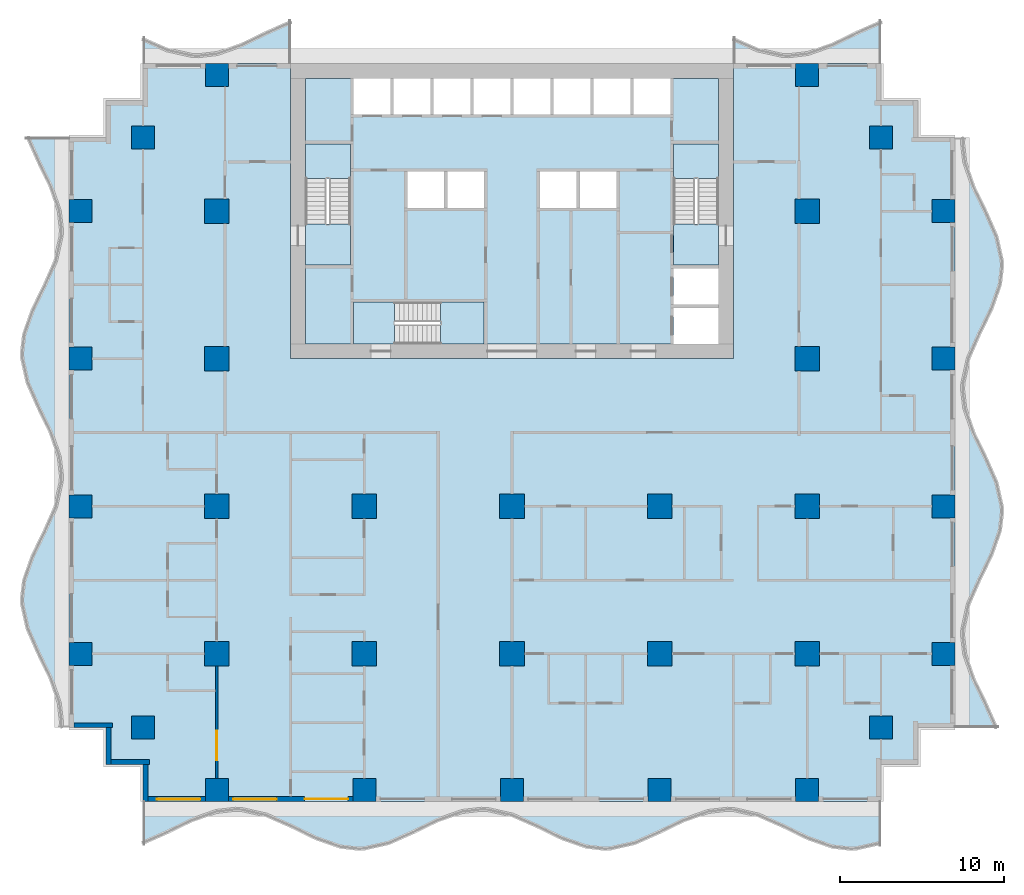
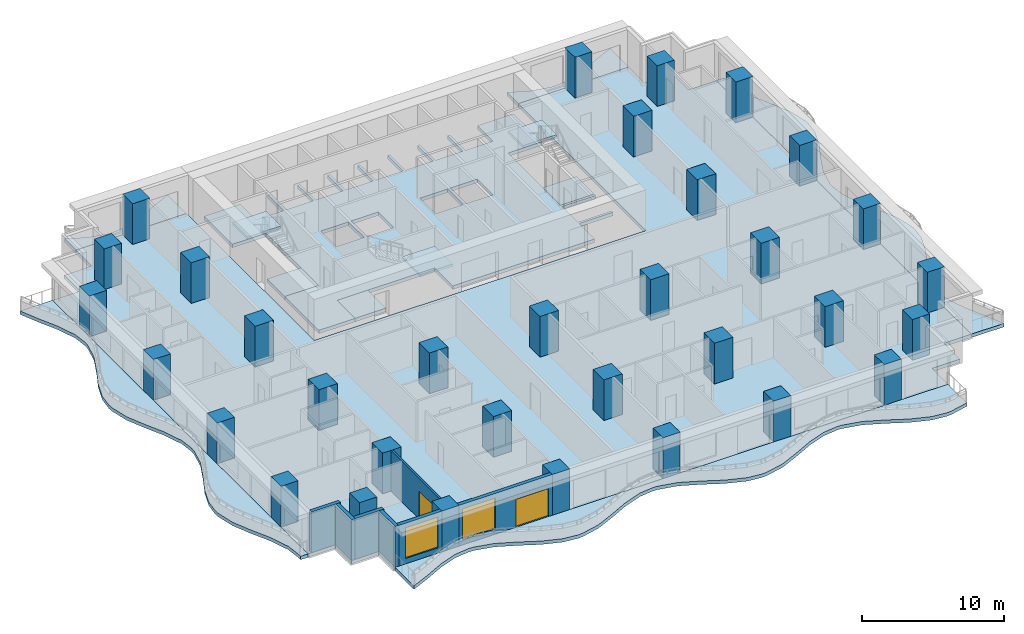
# One storey, part 1 of 14: 33 columns, 13 slabs, 7 walls, 2 doors, 2 windows, 4 openings, 3 elements without a shape of their own.
"""IFC4 building model written with IfcOpenShell, lengths in metres."""

from ifc_helpers import new_model, si_unit, direction, frame, frame_2d, origin, origin_2d, place, context, subcontext, project, spatial, polyline, rectangle, outline, extrude, material, layer, layer_set, material_profile, profile_set, type_object, element, fill, aggregate, save


model = new_model("IFC4")

# Units and contexts
model_context = context("Model", 3, precision=1e-05, world=origin(), true_north=direction((0.0, 1.0)))
body_context = subcontext(model_context, "Body", "Model", "MODEL_VIEW")
ifc_project = project(units=[si_unit("LENGTHUNIT", "METRE"), si_unit("AREAUNIT", "SQUARE_METRE"), si_unit("VOLUMEUNIT", "CUBIC_METRE"), si_unit("PLANEANGLEUNIT", "RADIAN"), si_unit("MASSUNIT", "GRAM", prefix="KILO")], contexts=[model_context])

# Site, building, storey
site_placement = place(None, origin())
site = spatial("IfcSite", under=ifc_project, at=site_placement, CompositionType="ELEMENT")
building_placement = place(site_placement, origin())
building = spatial("IfcBuilding", under=site, at=building_placement, Name="Orbiselva Terraces", CompositionType="ELEMENT")
storey_placement = place(building_placement, frame((0.0, 0.0, 56.8)))
storey = spatial("IfcBuildingStorey", under=building, at=storey_placement, Name="L14", CompositionType="ELEMENT", Elevation=56.8)

# Columns
ifc_material_1 = material(Name="Concrete C80/95", Category="concrete")
ifc_material_profile_1 = material_profile(ifc_material_1, rectangle(XDim=1.5, YDim=1.5, at=origin_2d()), Name="RC 1500x1500")
ifc_profile_set_1 = profile_set([ifc_material_profile_1], Name="Concrete C80/95")
column_type_1 = type_object("IfcColumnType", Name="COLUMN RC 1500x1500", PredefinedType="COLUMN", material=ifc_profile_set_1)
for number, where, z_axis, x_axis, name in (
    (1, (-18.0, -13.5, 0.0), (0.0, 0.0, 1.0), (1.0, 0.0, 0.0), "Column L14-01"),
    (2, (-18.0, -4.5, 0.0), (0.0, 0.0, 1.0), (1.0, 0.0, 0.0), "Column L14-03"),
    (3, (-18.0, 13.5, 0.0), (0.0, 0.0, 1.0), (1.0, 0.0, 0.0), "Column L14-04"),
    (4, (-18.0, 4.5, 0.0), (0.0, 0.0, 1.0), (1.0, 0.0, 0.0), "Column L14-06"),
    (5, (-9.0, -13.5, 0.0), (0.0, 0.0, 1.0), (1.0, 0.0, 0.0), "Column L14-13"),
    (6, (-9.0, -4.5, 0.0), (0.0, 0.0, 1.0), (1.0, 0.0, 0.0), "Column L14-15"),
    (7, (0.0, -13.5, 0.0), (0.0, 0.0, 1.0), (1.0, 0.0, 0.0), "Column L14-16"),
    (8, (0.0, -4.5, 0.0), (0.0, 0.0, 1.0), (1.0, 0.0, 0.0), "Column L14-18"),
    (9, (18.0, -13.5, 0.0), (0.0, 0.0, 1.0), (1.0, 0.0, 0.0), "Column L14-19"),
    (10, (18.0, -4.5, 0.0), (0.0, 0.0, 1.0), (1.0, 0.0, 0.0), "Column L14-21"),
    (11, (18.0, 13.5, 0.0), (0.0, 0.0, 1.0), (1.0, 0.0, 0.0), "Column L14-22"),
    (12, (18.0, 4.5, 0.0), (0.0, 0.0, 1.0), (1.0, 0.0, 0.0), "Column L14-24"),
    (13, (9.0, -13.5, 0.0), (0.0, 0.0, 1.0), (1.0, 0.0, 0.0), "Column L14-31"),
    (14, (9.0, -4.5, 0.0), (0.0, 0.0, 1.0), (1.0, 0.0, 0.0), "Column L14-33"),
):
    element("IfcColumn", number, at=place(storey_placement, frame(where, z_axis=z_axis, x_axis=x_axis)), inside=storey, type_object=column_type_1, Name=name, PredefinedType="COLUMN", context=body_context, shape_type="SweptSolid", body=[
        extrude(rectangle(XDim=1.5, YDim=1.5, at=origin_2d()), origin(), (0.0, 0.0, 1.0), 3.5),
    ])
ifc_material_2 = material(Name="Concrete C70/85", Category="concrete")
ifc_material_profile_2 = material_profile(ifc_material_2, rectangle(XDim=1.4, YDim=1.4, at=origin_2d()), Name="RC 1400x1400")
ifc_profile_set_2 = profile_set([ifc_material_profile_2], Name="Concrete C70/85")
column_type_2 = type_object("IfcColumnType", Name="PERIMETER COLUMN RC 1400x1400", PredefinedType="COLUMN", material=ifc_profile_set_2)
for number, where, z_axis, x_axis, name in (
    (15, (-18.0, -21.8, 0.0), (0.0, 0.0, 1.0), (1.0, 0.0, 0.0), "Column L14-02"),
    (16, (-18.0, 21.8, 0.0), (0.0, 0.0, 1.0), (1.0, 0.0, 0.0), "Column L14-05"),
    (17, (-26.3, -13.5, 0.0), (0.0, 0.0, 1.0), (1.0, 0.0, 0.0), "Column L14-07"),
    (18, (-22.5, -18.0, 0.0), (0.0, 0.0, 1.0), (1.0, 0.0, 0.0), "Column L14-08"),
    (19, (-26.3, -4.5, 0.0), (0.0, 0.0, 1.0), (1.0, 0.0, 0.0), "Column L14-09"),
    (20, (-26.3, 13.5, 0.0), (0.0, 0.0, 1.0), (1.0, 0.0, 0.0), "Column L14-10"),
    (21, (-22.5, 18.0, 0.0), (0.0, 0.0, 1.0), (1.0, 0.0, 0.0), "Column L14-11"),
    (22, (-26.3, 4.5, 0.0), (0.0, 0.0, 1.0), (1.0, 0.0, 0.0), "Column L14-12"),
    (23, (-9.0, -21.8, 0.0), (0.0, 0.0, 1.0), (1.0, 0.0, 0.0), "Column L14-14"),
    (24, (0.0, -21.8, 0.0), (0.0, 0.0, 1.0), (1.0, 0.0, 0.0), "Column L14-17"),
    (25, (18.0, -21.8, 0.0), (0.0, 0.0, 1.0), (1.0, 0.0, 0.0), "Column L14-20"),
    (26, (18.0, 21.8, 0.0), (0.0, 0.0, 1.0), (1.0, 0.0, 0.0), "Column L14-23"),
    (27, (26.3, -13.5, 0.0), (0.0, 0.0, 1.0), (1.0, 0.0, 0.0), "Column L14-25"),
    (28, (22.5, -18.0, 0.0), (0.0, 0.0, 1.0), (1.0, 0.0, 0.0), "Column L14-26"),
    (29, (26.3, -4.5, 0.0), (0.0, 0.0, 1.0), (1.0, 0.0, 0.0), "Column L14-27"),
    (30, (26.3, 13.5, 0.0), (0.0, 0.0, 1.0), (1.0, 0.0, 0.0), "Column L14-28"),
    (31, (22.5, 18.0, 0.0), (0.0, 0.0, 1.0), (1.0, 0.0, 0.0), "Column L14-29"),
    (32, (26.3, 4.5, 0.0), (0.0, 0.0, 1.0), (1.0, 0.0, 0.0), "Column L14-30"),
    (33, (9.0, -21.8, 0.0), (0.0, 0.0, 1.0), (1.0, 0.0, 0.0), "Column L14-32"),
):
    element("IfcColumn", number, at=place(storey_placement, frame(where, z_axis=z_axis, x_axis=x_axis)), inside=storey, type_object=column_type_2, Name=name, PredefinedType="COLUMN", context=body_context, shape_type="SweptSolid", body=[
        extrude(rectangle(XDim=1.4, YDim=1.4, at=origin_2d()), origin(), (0.0, 0.0, 1.0), 3.5),
    ])

# Slabs
ifc_material_3 = material(Name="Concrete C40/50", Category="concrete")
ifc_layer_1 = layer(ifc_material_3, 0.3)
ifc_layer_set_1 = layer_set([ifc_layer_1], Name="Concrete C40/50")
slab_type_1 = type_object("IfcSlabType", Name="CORE-SLAB-FLOOR-300", PredefinedType="FLOOR", material=ifc_layer_set_1)
slab_1_placement = place(storey_placement, frame((0.0, 0.0, -0.3)))
element("IfcSlab", 34, at=slab_1_placement, inside=storey, type_object=slab_type_1, Name="L14 S1 floor landing", PredefinedType="FLOOR", context=body_context, shape_type="SweptSolid", body=[
    extrude(outline(polyline([(-12.6, 12.7), (-9.85, 12.7), (-9.85, 10.2), (-12.6, 10.2), (-12.6, 12.7)])), origin(), (0.0, 0.0, 1.0), 0.3),
])
slab_2_placement = place(storey_placement, frame((0.0, 0.0, -0.3)))
element("IfcSlab", 35, at=slab_2_placement, inside=storey, type_object=slab_type_1, Name="L14 S2 floor landing", PredefinedType="FLOOR", context=body_context, shape_type="SweptSolid", body=[
    extrude(outline(polyline([(12.6, 12.7), (12.6, 10.2), (9.85, 10.2), (9.85, 12.7), (12.6, 12.7)])), origin(), (0.0, 0.0, 1.0), 0.3),
])
slab_3_placement = place(storey_placement, frame((0.0, 0.0, -0.3)))
element("IfcSlab", 36, at=slab_3_placement, inside=storey, type_object=slab_type_1, Name="L14 S3 floor landing", PredefinedType="FLOOR", context=body_context, shape_type="SweptSolid", body=[
    extrude(outline(polyline([(-7.15, 5.4), (-9.65, 5.4), (-9.65, 7.95), (-7.15, 7.95), (-7.15, 5.4)])), origin(), (0.0, 0.0, 1.0), 0.3),
])
slab_4_placement = place(storey_placement, frame((0.0, 0.0, -0.3)))
element("IfcSlab", 37, at=slab_4_placement, inside=storey, type_object=slab_type_1, Name="L14 core floor slab 1", PredefinedType="FLOOR", context=body_context, shape_type="SweptSolid", body=[
    extrude(outline(polyline([(-1.7, 5.4), (-1.7, 7.95), (-9.65, 7.95), (-9.65, 5.4), (-12.6, 5.4), (-12.6, 10.2), (-9.85, 10.2), (-9.85, 17.6), (-12.6, 17.6), (-12.6, 21.6), (-9.65, 21.6), (-9.65, 19.4), (-7.4125, 19.4), (-7.4125, 21.6), (-7.2125, 21.6), (-7.2125, 19.4), (-4.975, 19.4), (-4.975, 21.6), (-4.775, 21.6), (-4.775, 19.4), (-2.5375, 19.4), (-2.5375, 21.6), (-2.3375, 21.6), (-2.3375, 19.4), (-0.1, 19.4), (-0.1, 21.6), (0.1, 21.6), (0.1, 19.4), (2.3375, 19.4), (2.3375, 21.6), (2.5375, 21.6), (2.5375, 19.4), (4.775, 19.4), (4.775, 21.6), (4.975, 21.6), (4.975, 19.4), (7.2125, 19.4), (7.2125, 21.6), (7.4125, 21.6), (7.4125, 19.4), (9.65, 19.4), (9.65, 21.6), (12.6, 21.6), (12.6, 17.6), (9.85, 17.6), (9.85, 10.2), (12.6, 10.2), (12.6, 10.0), (9.85, 10.0), (9.85, 7.8), (12.6, 7.8), (12.6, 7.6), (9.85, 7.6), (9.85, 5.4), (-1.7, 5.4)]), holes=[polyline([(-4.1375, 13.7), (-4.1375, 15.9), (-6.375, 15.9), (-6.375, 13.7), (-4.1375, 13.7)]), polyline([(-1.7, 13.7), (-1.7, 15.9), (-3.9375, 15.9), (-3.9375, 13.7), (-1.7, 13.7)]), polyline([(3.9375, 13.7), (3.9375, 15.9), (1.7, 15.9), (1.7, 13.7), (3.9375, 13.7)]), polyline([(6.375, 13.7), (6.375, 15.9), (4.1375, 15.9), (4.1375, 13.7), (6.375, 13.7)])]), origin(), (0.0, 0.0, 1.0), 0.3),
])

# Stair, slab
stair_type_1 = type_object("IfcStairType", Name="CORE-STAIR-1300", PredefinedType="HALF_TURN_STAIR", material=ifc_material_3)
stair_1_placement = place(storey_placement, origin())
stair_1 = element("IfcStair", 38, at=stair_1_placement, inside=storey, type_object=stair_type_1, Name="L14 Exit Stair S1", PredefinedType="HALF_TURN_STAIR")
ifc_layer_2 = layer(ifc_material_3, 0.2)
ifc_layer_set_2 = layer_set([ifc_layer_2], Name="Concrete C40/50")
slab_type_2 = type_object("IfcSlabType", Name="CORE-STAIR-LANDING-200", PredefinedType="LANDING", material=ifc_layer_set_2)
slab_5_placement = place(storey_placement, frame((0.0, 0.0, 1.7)))
slab_5 = element("IfcSlab", 39, at=slab_5_placement, type_object=slab_type_2, Name="S1 landing 1", PredefinedType="LANDING", context=body_context, shape_type="SweptSolid", body=[
    extrude(outline(polyline([(-9.85, 15.5), (-9.85, 17.6), (-12.6, 17.6), (-12.6, 15.5), (-9.85, 15.5)])), origin(), (0.0, 0.0, 1.0), 0.2),
])
aggregate(stair_1, [slab_5])

stair_2_placement = place(storey_placement, origin())
stair_2 = element("IfcStair", 40, at=stair_2_placement, inside=storey, type_object=stair_type_1, Name="L14 Exit Stair S2", PredefinedType="HALF_TURN_STAIR")
slab_6_placement = place(storey_placement, frame((0.0, 0.0, 1.7)))
slab_6 = element("IfcSlab", 41, at=slab_6_placement, type_object=slab_type_2, Name="S2 landing 1", PredefinedType="LANDING", context=body_context, shape_type="SweptSolid", body=[
    extrude(outline(polyline([(12.6, 15.5), (12.6, 17.6), (9.85, 17.6), (9.85, 15.5), (12.6, 15.5)])), origin(), (0.0, 0.0, 1.0), 0.2),
])
aggregate(stair_2, [slab_6])

stair_type_2 = type_object("IfcStairType", Name="CORE-STAIR-1200", PredefinedType="HALF_TURN_STAIR", material=ifc_material_3)
stair_3_placement = place(storey_placement, origin())
stair_3 = element("IfcStair", 42, at=stair_3_placement, inside=storey, type_object=stair_type_2, Name="L14 Exit Stair S3", PredefinedType="HALF_TURN_STAIR")
slab_7_placement = place(storey_placement, frame((0.0, 0.0, 1.7)))
slab_7 = element("IfcSlab", 43, at=slab_7_placement, type_object=slab_type_2, Name="S3 landing 1", PredefinedType="LANDING", context=body_context, shape_type="SweptSolid", body=[
    extrude(outline(polyline([(-4.35, 5.4), (-1.7, 5.4), (-1.7, 7.95), (-4.35, 7.95), (-4.35, 5.4)])), origin(), (0.0, 0.0, 1.0), 0.2),
])
aggregate(stair_3, [slab_7])

# Slabs
ifc_material_4 = material(Name="Concrete C50/60", Category="concrete")
ifc_layer_3 = layer(ifc_material_4, 0.3)
ifc_layer_set_3 = layer_set([ifc_layer_3], Name="Concrete C50/60")
slab_type_3 = type_object("IfcSlabType", Name="ENV-BALCONY-SLAB-300", PredefinedType="FLOOR", material=ifc_layer_set_3)
slab_8_placement = place(storey_placement, frame((0.0, 0.0, -0.3)))
element("IfcSlab", 44, at=slab_8_placement, inside=storey, type_object=slab_type_3, Name="Balcony slab L14 S", PredefinedType="FLOOR", context=body_context, shape_type="SweptSolid", body=[
    extrude(outline(polyline([(-22.5, -25.148528), (-21.0, -24.487721), (-19.5, -23.755211), (-18.0, -23.230792), (-16.875, -23.1), (-16.5, -23.114774), (-15.0, -23.451472), (-13.5, -24.112279), (-12.0, -24.844789), (-10.5, -25.369208), (-9.375, -25.5), (-9.0, -25.485226), (-7.5, -25.148528), (-6.0, -24.487721), (-4.5, -23.755211), (-3.0, -23.230792), (-1.875, -23.1), (-1.5, -23.114774), (0.0, -23.451472), (1.5, -24.112279), (3.0, -24.844789), (4.5, -25.369208), (5.625, -25.5), (6.0, -25.485226), (7.5, -25.148528), (9.0, -24.487721), (10.5, -23.755211), (12.0, -23.230792), (13.125, -23.1), (13.5, -23.114774), (15.0, -23.451472), (16.5, -24.112279), (18.0, -24.844789), (19.5, -25.369208), (20.625, -25.5), (21.0, -25.485226), (22.5, -25.148528), (22.5, -22.5), (-22.5, -22.5), (-22.5, -25.148528)])), origin(), (0.0, 0.0, 1.0), 0.3),
])
slab_9_placement = place(storey_placement, frame((0.0, 0.0, -0.3)))
element("IfcSlab", 45, at=slab_9_placement, inside=storey, type_object=slab_type_3, Name="Balcony slab L14 E", PredefinedType="FLOOR", context=body_context, shape_type="SweptSolid", body=[
    extrude(outline(polyline([(29.648528, -18.0), (28.987721, -16.5), (28.255211, -15.0), (27.730792, -13.5), (27.6, -12.375), (27.614774, -12.0), (27.951472, -10.5), (28.612279, -9.0), (29.344789, -7.5), (29.869208, -6.0), (30.0, -4.875), (29.985226, -4.5), (29.648528, -3.0), (28.987721, -1.5), (28.255211, 0.0), (27.730792, 1.5), (27.6, 2.625), (27.614774, 3.0), (27.951472, 4.5), (28.612279, 6.0), (29.344789, 7.5), (29.869208, 9.0), (30.0, 10.125), (29.985226, 10.5), (29.648528, 12.0), (28.987721, 13.5), (28.255211, 15.0), (27.730792, 16.5), (27.6, 17.625), (27.614774, 18.0), (27.0, 18.0), (27.0, -18.0), (29.648528, -18.0)])), origin(), (0.0, 0.0, 1.0), 0.3),
])
slab_10_placement = place(storey_placement, frame((0.0, 0.0, -0.3)))
element("IfcSlab", 46, at=slab_10_placement, inside=storey, type_object=slab_type_3, Name="Balcony slab L14 NE", PredefinedType="FLOOR", context=body_context, shape_type="SweptSolid", body=[
    extrude(outline(polyline([(22.5, 25.148528), (21.0, 24.487721), (19.5, 23.755211), (18.0, 23.230792), (16.875, 23.1), (16.5, 23.114774), (15.0, 23.451472), (13.5, 24.112279), (13.5, 22.5), (22.5, 22.5), (22.5, 25.148528)])), origin(), (0.0, 0.0, 1.0), 0.3),
])
slab_11_placement = place(storey_placement, frame((0.0, 0.0, -0.3)))
element("IfcSlab", 47, at=slab_11_placement, inside=storey, type_object=slab_type_3, Name="Balcony slab L14 NW", PredefinedType="FLOOR", context=body_context, shape_type="SweptSolid", body=[
    extrude(outline(polyline([(-13.5, 25.148528), (-15.0, 24.487721), (-16.5, 23.755211), (-18.0, 23.230792), (-19.125, 23.1), (-19.5, 23.114774), (-21.0, 23.451472), (-22.5, 24.112279), (-22.5, 22.5), (-13.5, 22.5), (-13.5, 25.148528)])), origin(), (0.0, 0.0, 1.0), 0.3),
])
slab_12_placement = place(storey_placement, frame((0.0, 0.0, -0.3)))
element("IfcSlab", 48, at=slab_12_placement, inside=storey, type_object=slab_type_3, Name="Balcony slab L14 W", PredefinedType="FLOOR", context=body_context, shape_type="SweptSolid", body=[
    extrude(outline(polyline([(-29.648528, 18.0), (-28.987721, 16.5), (-28.255211, 15.0), (-27.730792, 13.5), (-27.6, 12.375), (-27.614774, 12.0), (-27.951472, 10.5), (-28.612279, 9.0), (-29.344789, 7.5), (-29.869208, 6.0), (-30.0, 4.875), (-29.985226, 4.5), (-29.648528, 3.0), (-28.987721, 1.5), (-28.255211, 0.0), (-27.730792, -1.5), (-27.6, -2.625), (-27.614774, -3.0), (-27.951472, -4.5), (-28.612279, -6.0), (-29.344789, -7.5), (-29.869208, -9.0), (-30.0, -10.125), (-29.985226, -10.5), (-29.648528, -12.0), (-28.987721, -13.5), (-28.255211, -15.0), (-27.730792, -16.5), (-27.6, -17.625), (-27.614774, -18.0), (-27.0, -18.0), (-27.0, 18.0), (-29.648528, 18.0)])), origin(), (0.0, 0.0, 1.0), 0.3),
])
ifc_layer_4 = layer(ifc_material_4, 0.3)
ifc_layer_set_4 = layer_set([ifc_layer_4], Name="Concrete C50/60")
slab_type_4 = type_object("IfcSlabType", Name="FLOOR SLAB 300", PredefinedType="FLOOR", material=ifc_layer_set_4)
slab_13_placement = place(storey_placement, frame((0.0, 0.0, -0.3)))
element("IfcSlab", 49, at=slab_13_placement, inside=storey, type_object=slab_type_4, Name="Floor slab L14", PredefinedType="FLOOR", context=body_context, shape_type="SweptSolid", body=[
    extrude(outline(polyline([(22.5, 22.5), (22.5, 20.25), (24.75, 20.25), (24.75, 18.0), (27.0, 18.0), (27.0, -18.0), (24.75, -18.0), (24.75, -20.25), (22.5, -20.25), (22.5, -22.5), (-22.5, -22.5), (-22.5, -20.25), (-24.75, -20.25), (-24.75, -18.0), (-27.0, -18.0), (-27.0, 18.0), (-24.75, 18.0), (-24.75, 20.25), (-22.5, 20.25), (-22.5, 22.5), (-13.5, 22.5), (-13.5, 4.5), (13.5, 4.5), (13.5, 22.5), (22.5, 22.5)])), origin(), (0.0, 0.0, 1.0), 0.3),
])

# Wall, opening, window
ifc_material_5 = material(Name="Terracotta cladding on masonry backing", Category="masonry")
ifc_layer_5 = layer(ifc_material_5, 0.3)
ifc_layer_set_5 = layer_set([ifc_layer_5], Name="Terracotta cladding on masonry backing")
wall_type_1 = type_object("IfcWallType", Name="ENV-WALL-TERRACOTTA-300", PredefinedType="SOLIDWALL", material=ifc_layer_set_5)
wall_1_placement = place(storey_placement, frame((-18.7, -22.35, 0.0), z_axis=(0.0, 0.0, 1.0), x_axis=(-1.0, 0.0, 0.0)))
wall_1 = element("IfcWall", 50, at=wall_1_placement, inside=storey, type_object=wall_type_1, Name="Facade wall L14 S", PredefinedType="SOLIDWALL", context=body_context, shape_type="SweptSolid", body=[
    extrude(rectangle(XDim=3.5, YDim=0.3, at=frame_2d((1.75, 0.0))), origin(), (0.0, 0.0, 1.0), 3.5),
])
opening_1_placement = place(wall_1_placement, frame((0.3, 0.0, 0.45)))
opening_1 = element("IfcOpeningElement", 51, at=opening_1_placement, cuts=wall_1, Name="Opening WN3", PredefinedType="OPENING", context=body_context, shape_type="SweptSolid", body=[
    extrude(rectangle(XDim=2.65, YDim=2.65, at=frame_2d((1.325, 1.325))), frame((0.0, 0.16, 0.0), z_axis=(0.0, -1.0, 0.0), x_axis=(1.0, 0.0, 0.0)), (0.0, 0.0, 1.0), 0.32),
])
ifc_material_6 = material(Name="Clear low-e glazing in aluminium frame", Category="aluminium")
window_type = type_object("IfcWindowType", Name="WINDOW 2650 X 2650 S450", PartitioningType="TRIPLE_PANEL_VERTICAL", PredefinedType="WINDOW", material=ifc_material_6)
window_1_placement = place(opening_1_placement, origin())
window_1 = element("IfcWindow", 52, at=window_1_placement, inside=storey, type_object=window_type, Name="Window L14 S", OverallHeight=2.65, OverallWidth=2.65, PartitioningType="SINGLE_PANEL", PredefinedType="WINDOW", context=body_context, shape_type="SweptSolid", body=[
    extrude(rectangle(XDim=2.65, YDim=2.65, at=frame_2d((1.325, 1.325))), frame((0.0, 0.03, 0.0), z_axis=(0.0, -1.0, 0.0), x_axis=(1.0, 0.0, 0.0)), (0.0, 0.0, 1.0), 0.06),
])
fill(opening_1, window_1)

# Wall, openings, door, window
wall_2_placement = place(storey_placement, frame((-9.7, -22.35, 0.0), z_axis=(0.0, 0.0, 1.0), x_axis=(-1.0, 0.0, 0.0)))
wall_2 = element("IfcWall", 53, at=wall_2_placement, inside=storey, type_object=wall_type_1, Name="Facade wall L14 S", PredefinedType="SOLIDWALL", context=body_context, shape_type="SweptSolid", body=[
    extrude(rectangle(XDim=7.6, YDim=0.3, at=frame_2d((3.8, 0.0))), origin(), (0.0, 0.0, 1.0), 3.5),
])
opening_2_placement = place(wall_2_placement, frame((4.65, 0.0, 0.45)))
opening_2 = element("IfcOpeningElement", 54, at=opening_2_placement, cuts=wall_2, Name="Opening WN3", PredefinedType="OPENING", context=body_context, shape_type="SweptSolid", body=[
    extrude(rectangle(XDim=2.65, YDim=2.65, at=frame_2d((1.325, 1.325))), frame((0.0, 0.16, 0.0), z_axis=(0.0, -1.0, 0.0), x_axis=(1.0, 0.0, 0.0)), (0.0, 0.0, 1.0), 0.32),
])
opening_3_placement = place(wall_2_placement, frame((0.3, 0.0, 0.0)))
opening_3 = element("IfcOpeningElement", 55, at=opening_3_placement, cuts=wall_2, Name="Opening Z1-E-E01", PredefinedType="OPENING", context=body_context, shape_type="SweptSolid", body=[
    extrude(rectangle(XDim=2.65, YDim=2.4, at=frame_2d((1.325, 1.2))), frame((0.0, 0.16, 0.0), z_axis=(0.0, -1.0, 0.0), x_axis=(1.0, 0.0, 0.0)), (0.0, 0.0, 1.0), 0.32),
])
door_type_1 = type_object("IfcDoorType", Name="BALCONY DOOR 2650 X 2400", OperationType="DOUBLE_DOOR_SLIDING", PredefinedType="DOOR", material=ifc_material_6)
door_1_placement = place(opening_3_placement, origin())
door_1 = element("IfcDoor", 56, at=door_1_placement, inside=storey, type_object=door_type_1, Name="Z1-E-E01", OperationType="SINGLE_SWING_LEFT", OverallHeight=2.4, OverallWidth=2.65, PredefinedType="DOOR", context=body_context, shape_type="SweptSolid", body=[
    extrude(rectangle(XDim=2.65, YDim=2.4, at=frame_2d((1.325, 1.2))), frame((0.0, 0.025, 0.0), z_axis=(0.0, -1.0, 0.0), x_axis=(1.0, 0.0, 0.0)), (0.0, 0.0, 1.0), 0.05),
])
fill(opening_3, door_1)
window_2_placement = place(opening_2_placement, origin())
window_2 = element("IfcWindow", 57, at=window_2_placement, inside=storey, type_object=window_type, Name="Window L14 S", OverallHeight=2.65, OverallWidth=2.65, PartitioningType="SINGLE_PANEL", PredefinedType="WINDOW", context=body_context, shape_type="SweptSolid", body=[
    extrude(rectangle(XDim=2.65, YDim=2.65, at=frame_2d((1.325, 1.325))), frame((0.0, 0.03, 0.0), z_axis=(0.0, -1.0, 0.0), x_axis=(1.0, 0.0, 0.0)), (0.0, 0.0, 1.0), 0.06),
])
fill(opening_2, window_2)

# Walls
wall_3_placement = place(storey_placement, frame((-24.35, -17.85, 0.0), z_axis=(0.0, 0.0, 1.0), x_axis=(-1.0, 0.0, 0.0)))
element("IfcWall", 58, at=wall_3_placement, inside=storey, type_object=wall_type_1, Name="Facade wall L14 STEP", PredefinedType="SOLIDWALL", context=body_context, shape_type="SweptSolid", body=[
    extrude(rectangle(XDim=2.35, YDim=0.3, at=frame_2d((1.175, 0.0))), origin(), (0.0, 0.0, 1.0), 3.5),
])
wall_4_placement = place(storey_placement, frame((-24.6, -20.25, 0.0), z_axis=(0.0, 0.0, 1.0), x_axis=(0.0, 1.0, 0.0)))
element("IfcWall", 59, at=wall_4_placement, inside=storey, type_object=wall_type_1, Name="Facade wall L14 STEP", PredefinedType="SOLIDWALL", context=body_context, shape_type="SweptSolid", body=[
    extrude(rectangle(XDim=2.25, YDim=0.3, at=frame_2d((1.125, 0.0))), origin(), (0.0, 0.0, 1.0), 3.5),
])
wall_5_placement = place(storey_placement, frame((-22.1, -20.1, 0.0), z_axis=(0.0, 0.0, 1.0), x_axis=(-1.0, 0.0, 0.0)))
element("IfcWall", 60, at=wall_5_placement, inside=storey, type_object=wall_type_1, Name="Facade wall L14 STEP", PredefinedType="SOLIDWALL", context=body_context, shape_type="SweptSolid", body=[
    extrude(rectangle(XDim=2.35, YDim=0.3, at=frame_2d((1.175, 0.0))), origin(), (0.0, 0.0, 1.0), 3.5),
])
wall_6_placement = place(storey_placement, frame((-22.35, -22.5, 0.0), z_axis=(0.0, 0.0, 1.0), x_axis=(0.0, 1.0, 0.0)))
element("IfcWall", 61, at=wall_6_placement, inside=storey, type_object=wall_type_1, Name="Facade wall L14 STEP", PredefinedType="SOLIDWALL", context=body_context, shape_type="SweptSolid", body=[
    extrude(rectangle(XDim=2.25, YDim=0.3, at=frame_2d((1.125, 0.0))), origin(), (0.0, 0.0, 1.0), 3.5),
])

# Wall, opening, door
ifc_material_7 = material(Name="Plasterboard on steel stud partition", Category="steel")
ifc_layer_6 = layer(ifc_material_7, 0.15)
ifc_layer_set_6 = layer_set([ifc_layer_6], Name="Plasterboard on steel stud partition")
wall_type_2 = type_object("IfcWallType", Name="UNIT-PARTITION-150", PredefinedType="PARTITIONING", material=ifc_layer_set_6)
wall_7_placement = place(storey_placement, frame((-18.0, -21.1, 0.0), z_axis=(0.0, 0.0, 1.0), x_axis=(0.0, 1.0, 0.0)))
wall_7 = element("IfcWall", 62, at=wall_7_placement, inside=storey, type_object=wall_type_2, Name="PARTITION L14-050", PredefinedType="PARTITIONING", context=body_context, shape_type="SweptSolid", body=[
    extrude(rectangle(XDim=6.85, YDim=0.15, at=frame_2d((3.425, 0.0))), origin(), (0.0, 0.0, 1.0), 3.5),
])
opening_4_placement = place(wall_7_placement, frame((1.1, 0.0, 0.0)))
opening_4 = element("IfcOpeningElement", 63, at=opening_4_placement, cuts=wall_7, Name="Opening Z1-E-29", PredefinedType="OPENING", context=body_context, shape_type="SweptSolid", body=[
    extrude(rectangle(XDim=1.8, YDim=2.4, at=frame_2d((0.9, 1.2))), frame((0.0, 0.085, 0.0), z_axis=(0.0, -1.0, 0.0), x_axis=(1.0, 0.0, 0.0)), (0.0, 0.0, 1.0), 0.17),
])
ifc_material_8 = material(Name="Painted timber door leaf", Category="wood")
door_type_2 = type_object("IfcDoorType", Name="DOUBLE DOOR 1800", OperationType="NOTDEFINED", PredefinedType="DOOR", material=ifc_material_8)
door_2_placement = place(opening_4_placement, origin())
door_2 = element("IfcDoor", 64, at=door_2_placement, inside=storey, type_object=door_type_2, Name="Z1-E-29", OperationType="DOUBLE_DOOR_SINGLE_SWING", OverallHeight=2.4, OverallWidth=1.8, PredefinedType="DOOR", context=body_context, shape_type="SweptSolid", body=[
    extrude(rectangle(XDim=1.8, YDim=2.4, at=frame_2d((0.9, 1.2))), frame((0.0, 0.025, 0.0), z_axis=(0.0, -1.0, 0.0), x_axis=(1.0, 0.0, 0.0)), (0.0, 0.0, 1.0), 0.05),
])
fill(opening_4, door_2)

save(model, "model.ifc")
